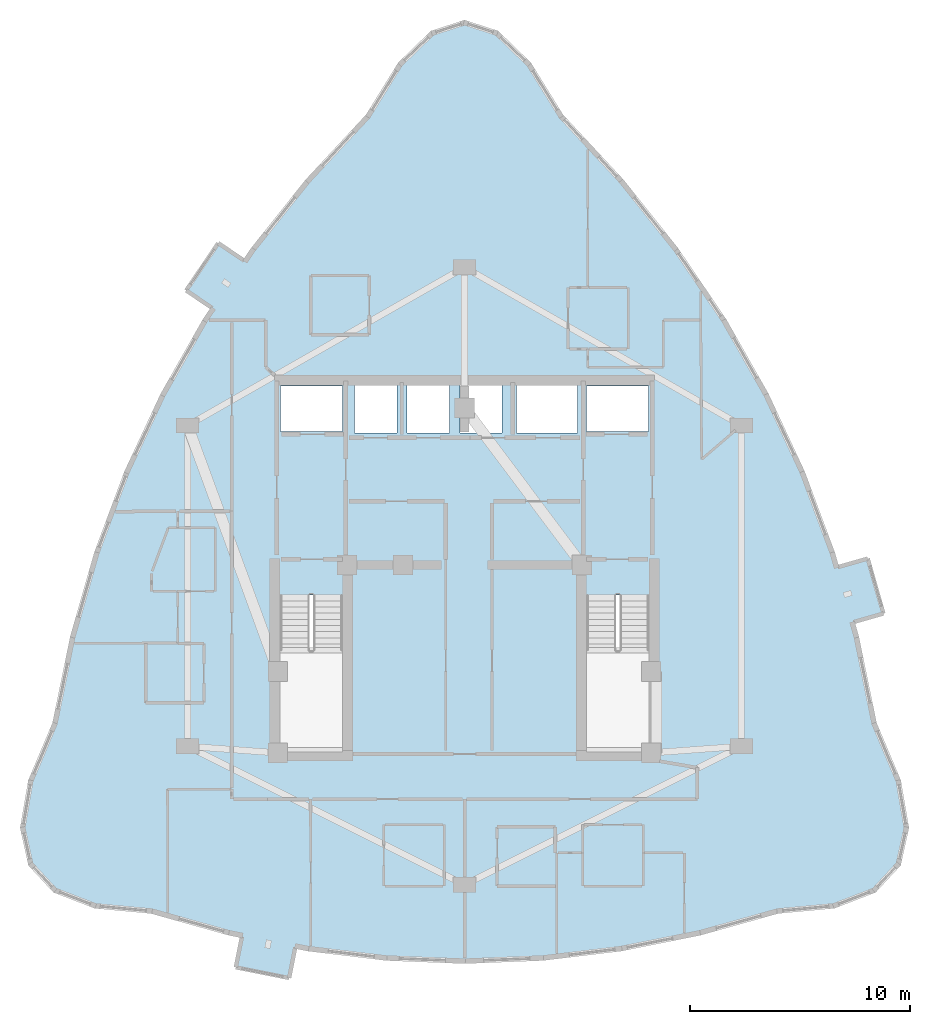
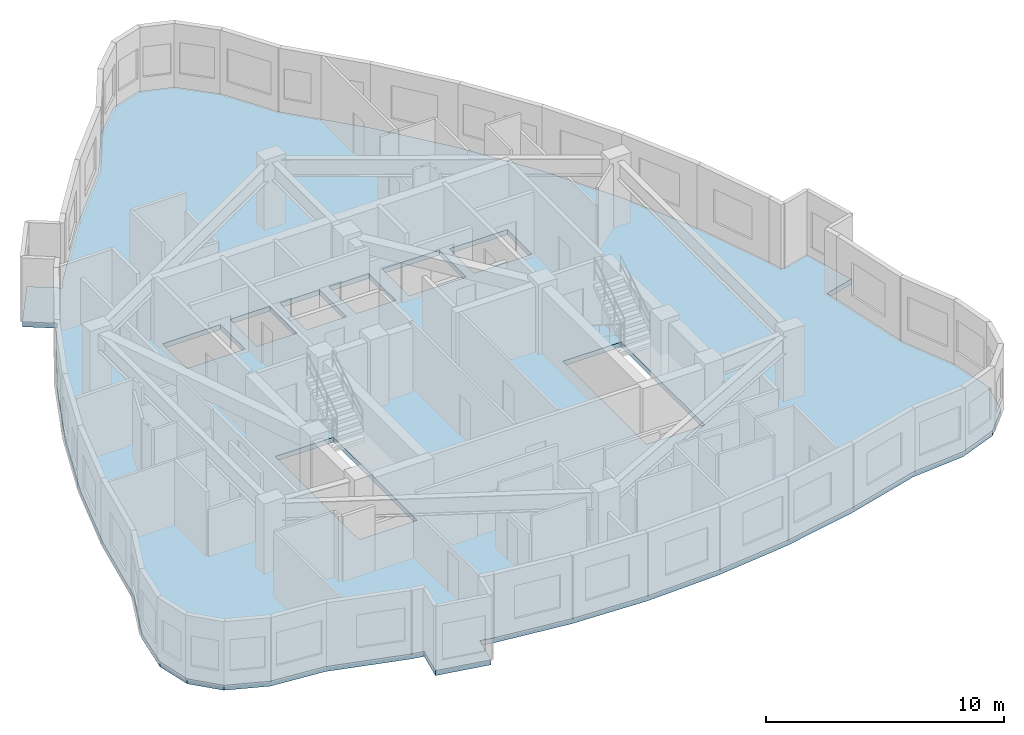
# One storey, part 5 of 13: 1 slab.
"""IFC4 building model written with IfcOpenShell, lengths in metres."""

from ifc_helpers import new_model, si_unit, direction, frame, origin, place, context, subcontext, project, spatial, polyline, outline, extrude, material, layer, layer_set, type_object, element, save


model = new_model("IFC4")

# Units and contexts
model_context = context("Model", 3, precision=1e-05, world=origin(), true_north=direction((0.0, 1.0)))
body_context = subcontext(model_context, "Body", "Model", "MODEL_VIEW")
ifc_project = project(units=[si_unit("LENGTHUNIT", "METRE"), si_unit("AREAUNIT", "SQUARE_METRE"), si_unit("VOLUMEUNIT", "CUBIC_METRE"), si_unit("PLANEANGLEUNIT", "RADIAN"), si_unit("MASSUNIT", "GRAM", prefix="KILO")], contexts=[model_context])

# Site, building, storey
site_placement = place(None, origin())
site = spatial("IfcSite", under=ifc_project, at=site_placement, CompositionType="ELEMENT")
building_placement = place(site_placement, origin())
building = spatial("IfcBuilding", under=site, at=building_placement, Name="Miruveldt Soraemaru", CompositionType="ELEMENT")
storey_placement = place(building_placement, frame((0.0, 0.0, 201.60009765625)))
storey = spatial("IfcBuildingStorey", under=building, at=storey_placement, Name="L55", CompositionType="ELEMENT", Elevation=201.60009765625)

# Slab
ifc_material = material(Name="Concrete C40/50 (40 MPa)", Category="concrete")
ifc_layer = layer(ifc_material, 0.2548828125, Name="Concrete C40/50 (40 MPa)", Category="concrete")
ifc_layer_set = layer_set([ifc_layer], Name="Concrete C40/50 (40 MPa)")
slab_type = type_object("IfcSlabType", Name="SLAB-RES3-255", PredefinedType="FLOOR", material=ifc_layer_set)
slab_placement = place(storey_placement, frame((0.0, 0.0, -0.255126953125)))
element("IfcSlab", 1, at=slab_placement, inside=storey, type_object=slab_type, Name="L55 Structural Floor Slab", PredefinedType="FLOOR", context=body_context, shape_type="SweptSolid", body=[
    extrude(outline(polyline([(33.591796875, 25.7412109375), (33.882080078125, 27.1923828125), (35.093505859375, 26.9501953125), (33.312255859375, 27.306396484375), (29.749755859375, 28.303955078125), (27.187255859375, 28.540771484375), (25.356689453125, 29.2509765625), (24.258544921875, 30.4345703125), (23.892333984375, 32.091552734375), (24.258544921875, 34.22216796875), (25.356689453125, 36.825927734375), (26.17041015625, 40.7802734375), (27.2607421875, 44.592041015625), (28.627197265625, 48.26123046875), (30.270263671875, 51.7880859375), (32.189697265625, 55.17236328125), (33.287841796875, 56.793212890625), (32.55859375, 55.716796875), (31.33349609375, 56.547119140625), (32.79150390625, 58.699462890625), (34.016845703125, 57.869384765625), (34.3857421875, 58.4140625), (36.858154296875, 61.51318359375), (39.60693359375, 64.469970703125), (41.0712890625, 66.837158203125), (42.53564453125, 68.257568359375), (44.0, 68.73095703125), (45.46435546875, 68.257568359375), (46.9287109375, 66.837158203125), (48.39306640625, 64.469970703125), (51.141845703125, 61.51318359375), (53.6142578125, 58.4140625), (55.810302734375, 55.17236328125), (57.729736328125, 51.7880859375), (59.372802734375, 48.26123046875), (60.7392578125, 44.592041015625), (60.927001953125, 43.93603515625), (62.349853515625, 44.343017578125), (63.064697265625, 41.84326171875), (61.641845703125, 41.436279296875), (61.284423828125, 42.686279296875), (61.82958984375, 40.7802734375), (62.643310546875, 36.825927734375), (63.741455078125, 34.22216796875), (64.107666015625, 32.091552734375), (63.741455078125, 30.4345703125), (62.643310546875, 29.2509765625), (60.812744140625, 28.540771484375), (58.250244140625, 28.303955078125), (54.687744140625, 27.306396484375), (51.125, 26.593994140625), (47.5625, 26.16650390625), (44.0, 26.02392578125), (40.4375, 26.16650390625), (36.875, 26.593994140625), (36.30517578125, 26.7080078125), (36.014892578125, 25.256591796875), (33.591796875, 25.7412109375)]), holes=[polyline([(35.614990234375, 35.6650390625), (38.43505859375, 35.6650390625), (38.43505859375, 42.68505859375), (35.614990234375, 42.68505859375), (35.614990234375, 35.6650390625)]), polyline([(49.56494140625, 35.6650390625), (52.385009765625, 35.6650390625), (52.385009765625, 42.68505859375), (49.56494140625, 42.68505859375), (49.56494140625, 35.6650390625)]), polyline([(38.445068359375, 50.135009765625), (38.445068359375, 52.205078125), (35.635009765625, 52.205078125), (35.635009765625, 50.135009765625), (38.445068359375, 50.135009765625)]), polyline([(52.364990234375, 50.135009765625), (52.364990234375, 52.205078125), (49.554931640625, 52.205078125), (49.554931640625, 50.135009765625), (52.364990234375, 50.135009765625)]), polyline([(40.9150390625, 50.06494140625), (40.9150390625, 52.3349609375), (38.985107421875, 52.3349609375), (38.985107421875, 50.06494140625), (40.9150390625, 50.06494140625)]), polyline([(43.31494140625, 50.06494140625), (43.31494140625, 52.3349609375), (41.385009765625, 52.3349609375), (41.385009765625, 50.06494140625), (43.31494140625, 50.06494140625)]), polyline([(45.715087890625, 50.06494140625), (45.715087890625, 52.3349609375), (43.784912109375, 52.3349609375), (43.784912109375, 50.06494140625), (45.715087890625, 50.06494140625)]), polyline([(49.135009765625, 50.06494140625), (49.135009765625, 52.3349609375), (46.364990234375, 52.3349609375), (46.364990234375, 50.06494140625), (49.135009765625, 50.06494140625)])]), origin(), (0.0, 0.0, 1.0), 0.255126953125),
])

save(model, "model.ifc")
